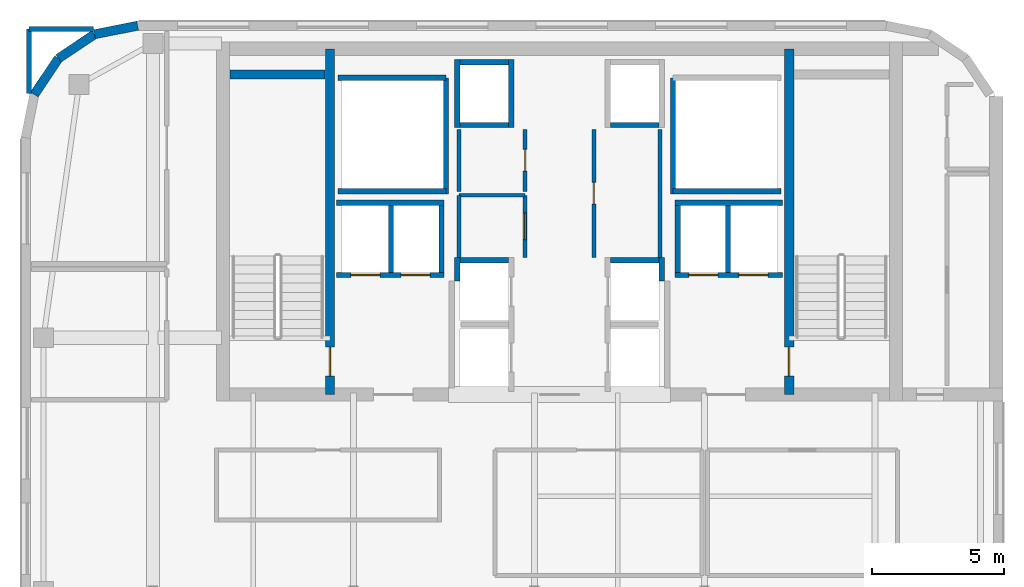
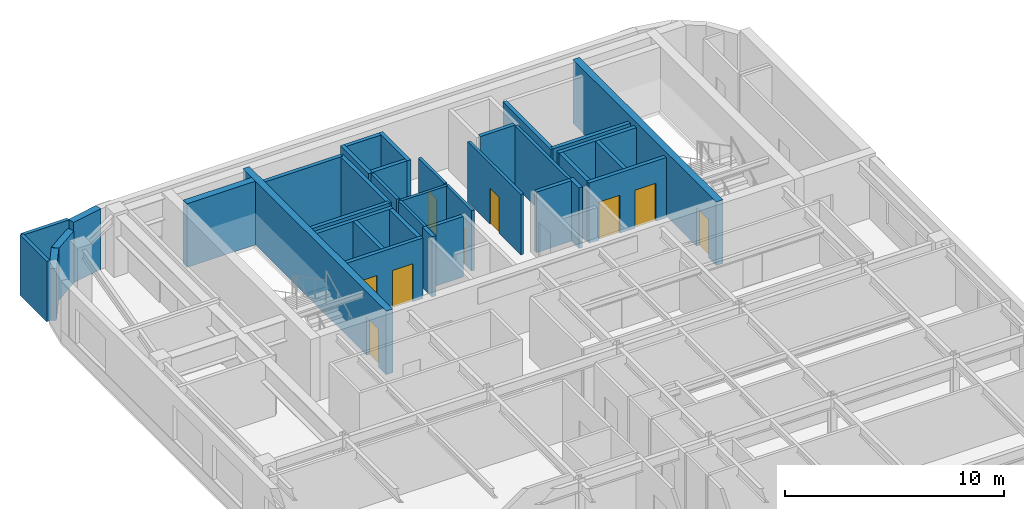
# One storey, part 6 of 11: 37 walls, 9 doors, 9 openings.
"""IFC4 building model written with IfcOpenShell, lengths in metres."""

from ifc_helpers import new_model, si_unit, direction, frame, frame_2d, origin, place, context, subcontext, project, spatial, rectangle, extrude, source, transform, mapped, material, layer, layer_set, type_object, type_shapes, element, fill, save


model = new_model("IFC4")

# Units and contexts
model_context = context("Model", 3, precision=1e-05, world=origin(), true_north=direction((0.0, 1.0)))
body_context = subcontext(model_context, "Body", "Model", "MODEL_VIEW")
ifc_project = project(units=[si_unit("LENGTHUNIT", "METRE"), si_unit("AREAUNIT", "SQUARE_METRE"), si_unit("VOLUMEUNIT", "CUBIC_METRE"), si_unit("PLANEANGLEUNIT", "RADIAN"), si_unit("MASSUNIT", "GRAM", prefix="KILO")], contexts=[model_context])

# Site, building, storey
site_placement = place(None, origin())
site = spatial("IfcSite", under=ifc_project, at=site_placement, CompositionType="ELEMENT")
building_placement = place(site_placement, origin())
building = spatial("IfcBuilding", under=site, at=building_placement, Name="Tolvann Quenvar Hotel", CompositionType="ELEMENT")
storey_placement = place(building_placement, frame((0.0, 0.0, 234.550048828125)))
storey = spatial("IfcBuildingStorey", under=building, at=storey_placement, Name="L62", CompositionType="ELEMENT", Elevation=234.550048828125)

# Wall, opening, door
ifc_material_1 = material(Name="Concrete S65 (65 MPa)", Category="concrete")
ifc_layer_1 = layer(ifc_material_1, 0.35009765625)
ifc_layer_set_1 = layer_set([ifc_layer_1], Name="Concrete S65 (65 MPa)")
wall_type_1 = type_object("IfcWallType", Name="WALL_CORE_INT_350", PredefinedType="SHEAR", material=ifc_layer_set_1)
wall_1_placement = place(storey_placement, frame((14.300048828125, 31.85009765625, 0.0), z_axis=(0.0, 0.0, 1.0), x_axis=(0.0, 1.0, 0.0)))
wall_1 = element("IfcWall", 1, at=wall_1_placement, inside=storey, type_object=wall_type_1, Name="Core Internal Web Shear Wall WEB-W (L62)", PredefinedType="SHEAR", context=body_context, shape_type="SweptSolid", body=[
    extrude(rectangle(XDim=13.099853515625, YDim=0.35009765625, at=frame_2d((6.5498046875, 0.0))), origin(), (0.0, 0.0, 1.0), 3.550048828125),
])
opening_1_placement = place(wall_1_placement, frame((0.699951171875, 0.0, 0.0)))
opening_1 = element("IfcOpeningElement", 2, at=opening_1_placement, cuts=wall_1, Name="Opening FD-120", PredefinedType="OPENING", context=body_context, shape_type="SweptSolid", body=[
    extrude(rectangle(XDim=1.10009765625, YDim=2.1201171875, at=frame_2d((0.550048828125, 1.06005859375))), frame((0.0, 0.18505859375, 0.0), z_axis=(0.0, -1.0, 0.0), x_axis=(1.0, 0.0, 0.0)), (0.0, 0.0, 1.0), 0.3701171875),
])
ifc_material_2 = material(Name="Pressed galvanised steel fire-rated door set", Category="steel")
door_type_1 = type_object("IfcDoorType", Name="DOOR_FIRE_STAIR_1100", OperationType="NOTDEFINED", PredefinedType="DOOR", material=ifc_material_2)
shared_shape_1 = source(origin(), body_context, "Body", "SweptSolid", [
    extrude(rectangle(XDim=1.10009765625, YDim=2.1201171875, at=frame_2d((0.550048828125, 1.06005859375))), frame((0.0, 0.02490234375, 0.0), z_axis=(0.0, -1.0, 0.0), x_axis=(1.0, 0.0, 0.0)), (0.0, 0.0, 1.0), 0.050048828125),
])
type_shapes(door_type_1, [shared_shape_1])
door_1_placement = place(opening_1_placement, origin())
door_1 = element("IfcDoor", 3, at=door_1_placement, inside=storey, type_object=door_type_1, Name="Exit Stair ST-C1 Fire Door (L62)", OperationType="SINGLE_SWING_LEFT", OverallHeight=2.1201171875, OverallWidth=1.10009765625, PredefinedType="DOOR", context=body_context, shape_type="MappedRepresentation", body=[
    mapped(shared_shape_1, transform((0.0, 0.0, 0.0), x_axis=(1.0, 0.0, 0.0), y_axis=(0.0, 1.0, 0.0), z_axis=(0.0, 0.0, 1.0), scale=1.0)),
])
fill(opening_1, door_1)

wall_2_placement = place(storey_placement, frame((31.699951171875, 31.85009765625, 0.0), z_axis=(0.0, 0.0, 1.0), x_axis=(0.0, 1.0, 0.0)))
wall_2 = element("IfcWall", 4, at=wall_2_placement, inside=storey, type_object=wall_type_1, Name="Core Internal Web Shear Wall WEB-E (L62)", PredefinedType="SHEAR", context=body_context, shape_type="SweptSolid", body=[
    extrude(rectangle(XDim=13.099853515625, YDim=0.35009765625, at=frame_2d((6.5498046875, 0.0))), origin(), (0.0, 0.0, 1.0), 3.550048828125),
])
opening_2_placement = place(wall_2_placement, frame((1.800048828125, 0.0, 0.0), z_axis=(0.0, 0.0, 1.0), x_axis=(-1.0, 0.0, 0.0)))
opening_2 = element("IfcOpeningElement", 5, at=opening_2_placement, cuts=wall_2, Name="Opening FD-120", PredefinedType="OPENING", context=body_context, shape_type="SweptSolid", body=[
    extrude(rectangle(XDim=1.10009765625, YDim=2.1201171875, at=frame_2d((0.550048828125, 1.06005859375))), frame((0.0, 0.18505859375, 0.0), z_axis=(0.0, -1.0, 0.0), x_axis=(1.0, 0.0, 0.0)), (0.0, 0.0, 1.0), 0.3701171875),
])
door_2_placement = place(opening_2_placement, origin())
door_2 = element("IfcDoor", 6, at=door_2_placement, inside=storey, type_object=door_type_1, Name="Exit Stair ST-C2 Fire Door (L62)", OperationType="SINGLE_SWING_RIGHT", OverallHeight=2.1201171875, OverallWidth=1.10009765625, PredefinedType="DOOR", context=body_context, shape_type="MappedRepresentation", body=[
    mapped(shared_shape_1, transform((0.0, 0.0, 0.0), x_axis=(1.0, 0.0, 0.0), y_axis=(0.0, 1.0, 0.0), z_axis=(0.0, 0.0, 1.0), scale=1.0)),
])
fill(opening_2, door_2)

# Walls
wall_3_placement = place(storey_placement, frame((10.52001953125, 43.97509765625, 0.0), z_axis=(0.0, 0.0, 1.0), x_axis=(1.0, 0.0, 0.0)))
element("IfcWall", 7, at=wall_3_placement, inside=storey, type_object=wall_type_1, Name="Core Stair North Closing Shear Wall STC1-N (L62)", PredefinedType="SHEAR", context=body_context, shape_type="SweptSolid", body=[
    extrude(rectangle(XDim=3.60009765625, YDim=0.35009765625, at=frame_2d((1.800048828125, 0.0))), origin(), (0.0, 0.0, 1.0), 3.550048828125),
])
ifc_material_3 = material(Name="Kiln-fired red and buff architectural clay brickwork and terracotta masonry", Category="masonry")
ifc_layer_2 = layer(ifc_material_3, 0.35009765625)
ifc_layer_set_2 = layer_set([ifc_layer_2], Name="Kiln-fired red and buff architectural clay brickwork and terracotta masonry")
wall_type_2 = type_object("IfcWallType", Name="WALL_EXT_BRICK_350", PredefinedType="SOLIDWALL", material=ifc_layer_set_2)
wall_4_placement = place(storey_placement, frame((7.01708984375, 45.824951171875, 0.0), z_axis=(0.0, 0.0, 1.0), x_axis=(-0.980788844421, -0.195072403631, 0.0)))
element("IfcWall", 8, at=wall_4_placement, inside=storey, type_object=wall_type_2, Name="Exterior Chicago Brick Wall L62-E15", PredefinedType="SOLIDWALL", context=body_context, shape_type="SweptSolid", body=[
    extrude(rectangle(XDim=1.66455078125, YDim=0.35009765625, at=frame_2d((0.832275390625, 0.0))), origin(), (0.0, 0.0, 1.0), 3.369873046875),
])
for number, where, z_axis, x_axis, name in (
    (9, (5.384521484375, 45.500244140625, 0.0), (0.0, 0.0, 1.0), (-0.831502623162, -0.555520825599, 0.0), "Exterior Chicago Brick Wall L62-E16"),
    (10, (4.014892578125, 44.585205078125, 0.0), (0.0, 0.0, 1.0), (-0.555623290322, -0.831434158098, 0.0), "Exterior Chicago Brick Wall L62-E17"),
):
    element("IfcWall", number, at=place(storey_placement, frame(where, z_axis=z_axis, x_axis=x_axis)), inside=storey, type_object=wall_type_2, Name=name, PredefinedType="SOLIDWALL", context=body_context, shape_type="SweptSolid", body=[
        extrude(rectangle(XDim=1.647216796875, YDim=0.35009765625, at=frame_2d((0.82373046875, 0.0))), origin(), (0.0, 0.0, 1.0), 2.89990234375),
    ])
ifc_material_4 = material(Name="Acoustic twin-stud fire-rated gypsum plasterboard partition")
ifc_layer_3 = layer(ifc_material_4, 0.179931640625)
ifc_layer_set_3 = layer_set([ifc_layer_3], Name="Acoustic twin-stud fire-rated gypsum plasterboard partition")
wall_type_3 = type_object("IfcWallType", Name="WALL_PART_ACOUSTIC_180", PredefinedType="PARTITIONING", material=ifc_layer_set_3)
for number, where, z_axis, x_axis, name in (
    (11, (2.89990234375, 45.699951171875, 0.0), (0.0, 0.0, 1.0), (1.0, 0.0, 0.0), "Interior Partition PT-SPC-L62-STD-N"),
    (12, (2.89990234375, 43.2548828125, 0.0), (0.0, 0.0, 1.0), (0.0, 1.0, 0.0), "Interior Partition PT-SPC-L62-STD-W"),
):
    element("IfcWall", number, at=place(storey_placement, frame(where, z_axis=z_axis, x_axis=x_axis)), inside=storey, type_object=wall_type_3, Name=name, PredefinedType="PARTITIONING", context=body_context, shape_type="SweptSolid", body=[
        extrude(rectangle(XDim=2.445068359375, YDim=0.179931640625, at=frame_2d((1.22265625, 0.0))), origin(), (0.0, 0.0, 1.0), 3.369873046875),
    ])

# Wall, opening, door
ifc_layer_4 = layer(ifc_material_4, 0.14990234375)
ifc_layer_set_4 = layer_set([ifc_layer_4], Name="Acoustic twin-stud fire-rated gypsum plasterboard partition")
wall_type_4 = type_object("IfcWallType", Name="WALL_PART_SUITE_150", PredefinedType="PARTITIONING", material=ifc_layer_set_4)
wall_5_placement = place(storey_placement, frame((21.699951171875, 37.050048828125, 0.0), z_axis=(0.0, 0.0, 1.0), x_axis=(0.0, 1.0, 0.0)))
wall_5 = element("IfcWall", 13, at=wall_5_placement, inside=storey, type_object=wall_type_4, Name="Interior Partition PT-SPC-L62-RECPM-1-ENT", PredefinedType="PARTITIONING", context=body_context, shape_type="SweptSolid", body=[
    extrude(rectangle(XDim=2.349853515625, YDim=0.14990234375, at=frame_2d((1.1748046875, 0.0))), origin(), (0.0, 0.0, 1.0), 3.369873046875),
])
opening_3_placement = place(wall_5_placement, frame((0.6650390625, 0.0, 0.0)))
opening_3 = element("IfcOpeningElement", 14, at=opening_3_placement, cuts=wall_5, Name="Opening HD-01", PredefinedType="OPENING", context=body_context, shape_type="SweptSolid", body=[
    extrude(rectangle(XDim=1.02001953125, YDim=2.030029296875, at=frame_2d((0.510009765625, 1.01513671875))), frame((0.0, 0.0849609375, 0.0), z_axis=(0.0, -1.0, 0.0), x_axis=(1.0, 0.0, 0.0)), (0.0, 0.0, 1.0), 0.169921875),
])
door_type_2 = type_object("IfcDoorType", Name="DOOR_BOH_1020", OperationType="NOTDEFINED", PredefinedType="DOOR", material=ifc_material_2)
shared_shape_2 = source(origin(), body_context, "Body", "SweptSolid", [
    extrude(rectangle(XDim=1.02001953125, YDim=2.030029296875, at=frame_2d((0.510009765625, 1.01513671875))), frame((0.0, 0.02490234375, 0.0), z_axis=(0.0, -1.0, 0.0), x_axis=(1.0, 0.0, 0.0)), (0.0, 0.0, 1.0), 0.050048828125),
])
type_shapes(door_type_2, [shared_shape_2])
door_3_placement = place(opening_3_placement, origin())
door_3 = element("IfcDoor", 15, at=door_3_placement, inside=storey, type_object=door_type_2, Name="Interior Door DOOR-SPC-L62-RECPM-1", OperationType="SINGLE_SWING_RIGHT", OverallHeight=2.030029296875, OverallWidth=1.02001953125, PredefinedType="DOOR", context=body_context, shape_type="MappedRepresentation", body=[
    mapped(shared_shape_2, transform((0.0, 0.0, 0.0), x_axis=(1.0, 0.0, 0.0), y_axis=(0.0, 1.0, 0.0), z_axis=(0.0, 0.0, 1.0), scale=1.0)),
])
fill(opening_3, door_3)

# Walls
wall_6_placement = place(storey_placement, frame((19.199951171875, 39.39990234375, 0.0), z_axis=(0.0, 0.0, 1.0), x_axis=(1.0, 0.0, 0.0)))
element("IfcWall", 16, at=wall_6_placement, inside=storey, type_object=wall_type_4, Name="Interior Partition PT-SPC-L62-RECPM-1-N", PredefinedType="PARTITIONING", context=body_context, shape_type="SweptSolid", body=[
    extrude(rectangle(XDim=2.5, YDim=0.14990234375, at=frame_2d((1.25, 0.0))), origin(), (0.0, 0.0, 1.0), 3.369873046875),
])
wall_7_placement = place(storey_placement, frame((19.199951171875, 37.0400390625, 0.0), z_axis=(0.0, 0.0, 1.0), x_axis=(0.0, 1.0, 0.0)))
element("IfcWall", 17, at=wall_7_placement, inside=storey, type_object=wall_type_4, Name="Interior Partition PT-SPC-L62-RECPM-1-W", PredefinedType="PARTITIONING", context=body_context, shape_type="SweptSolid", body=[
    extrude(rectangle(XDim=2.35986328125, YDim=0.14990234375, at=frame_2d((1.179931640625, 0.0))), origin(), (0.0, 0.0, 1.0), 3.369873046875),
])

# Wall, opening, door
wall_8_placement = place(storey_placement, frame((21.699951171875, 39.550048828125, 0.0), z_axis=(0.0, 0.0, 1.0), x_axis=(0.0, 1.0, 0.0)))
wall_8 = element("IfcWall", 18, at=wall_8_placement, inside=storey, type_object=wall_type_4, Name="Interior Partition PT-SPC-L62-RECPM-2-ENT", PredefinedType="PARTITIONING", context=body_context, shape_type="SweptSolid", body=[
    extrude(rectangle(XDim=2.349853515625, YDim=0.14990234375, at=frame_2d((1.1748046875, 0.0))), origin(), (0.0, 0.0, 1.0), 3.369873046875),
])
opening_4_placement = place(wall_8_placement, frame((0.764892578125, 0.0, 0.0)))
opening_4 = element("IfcOpeningElement", 19, at=opening_4_placement, cuts=wall_8, Name="Opening HD-02", PredefinedType="OPENING", context=body_context, shape_type="SweptSolid", body=[
    extrude(rectangle(XDim=0.820068359375, YDim=2.010009765625, at=frame_2d((0.41015625, 1.0048828125))), frame((0.0, 0.0849609375, 0.0), z_axis=(0.0, -1.0, 0.0), x_axis=(1.0, 0.0, 0.0)), (0.0, 0.0, 1.0), 0.169921875),
])
door_type_3 = type_object("IfcDoorType", Name="DOOR_STORE_820", OperationType="NOTDEFINED", PredefinedType="DOOR", material=ifc_material_2)
shared_shape_3 = source(origin(), body_context, "Body", "SweptSolid", [
    extrude(rectangle(XDim=0.820068359375, YDim=2.010009765625, at=frame_2d((0.41015625, 1.0048828125))), frame((0.0, 0.02490234375, 0.0), z_axis=(0.0, -1.0, 0.0), x_axis=(1.0, 0.0, 0.0)), (0.0, 0.0, 1.0), 0.050048828125),
])
type_shapes(door_type_3, [shared_shape_3])
door_4_placement = place(opening_4_placement, origin())
door_4 = element("IfcDoor", 20, at=door_4_placement, inside=storey, type_object=door_type_3, Name="Interior Door DOOR-SPC-L62-RECPM-2", OperationType="SINGLE_SWING_LEFT", OverallHeight=2.010009765625, OverallWidth=0.820068359375, PredefinedType="DOOR", context=body_context, shape_type="MappedRepresentation", body=[
    mapped(shared_shape_3, transform((0.0, 0.0, 0.0), x_axis=(1.0, 0.0, 0.0), y_axis=(0.0, 1.0, 0.0), z_axis=(0.0, 0.0, 1.0), scale=1.0)),
])
fill(opening_4, door_4)

# Wall
wall_9_placement = place(storey_placement, frame((19.199951171875, 39.550048828125, 0.0), z_axis=(0.0, 0.0, 1.0), x_axis=(0.0, 1.0, 0.0)))
element("IfcWall", 21, at=wall_9_placement, inside=storey, type_object=wall_type_4, Name="Interior Partition PT-SPC-L62-RECPM-2-W", PredefinedType="PARTITIONING", context=body_context, shape_type="SweptSolid", body=[
    extrude(rectangle(XDim=2.349853515625, YDim=0.14990234375, at=frame_2d((1.1748046875, 0.0))), origin(), (0.0, 0.0, 1.0), 3.369873046875),
])

# Wall, opening, door
wall_10_placement = place(storey_placement, frame((24.300048828125, 37.050048828125, 0.0), z_axis=(0.0, 0.0, 1.0), x_axis=(0.0, 1.0, 0.0)))
wall_10 = element("IfcWall", 22, at=wall_10_placement, inside=storey, type_object=wall_type_4, Name="Interior Partition PT-SPC-L62-RECPM-3-ENT", PredefinedType="PARTITIONING", context=body_context, shape_type="SweptSolid", body=[
    extrude(rectangle(XDim=4.849853515625, YDim=0.14990234375, at=frame_2d((2.4248046875, 0.0))), origin(), (0.0, 0.0, 1.0), 3.369873046875),
])
opening_5_placement = place(wall_10_placement, frame((2.014892578125, 0.0, 0.0)))
opening_5 = element("IfcOpeningElement", 23, at=opening_5_placement, cuts=wall_10, Name="Opening HD-02", PredefinedType="OPENING", context=body_context, shape_type="SweptSolid", body=[
    extrude(rectangle(XDim=0.820068359375, YDim=2.010009765625, at=frame_2d((0.41015625, 1.0048828125))), frame((0.0, 0.0849609375, 0.0), z_axis=(0.0, -1.0, 0.0), x_axis=(1.0, 0.0, 0.0)), (0.0, 0.0, 1.0), 0.169921875),
])
door_5_placement = place(opening_5_placement, origin())
door_5 = element("IfcDoor", 24, at=door_5_placement, inside=storey, type_object=door_type_3, Name="Interior Door DOOR-SPC-L62-RECPM-3", OperationType="SINGLE_SWING_RIGHT", OverallHeight=2.010009765625, OverallWidth=0.820068359375, PredefinedType="DOOR", context=body_context, shape_type="MappedRepresentation", body=[
    mapped(shared_shape_3, transform((0.0, 0.0, 0.0), x_axis=(1.0, 0.0, 0.0), y_axis=(0.0, 1.0, 0.0), z_axis=(0.0, 0.0, 1.0), scale=1.0)),
])
fill(opening_5, door_5)

# Walls
wall_11_placement = place(storey_placement, frame((26.800048828125, 37.0400390625, 0.0), z_axis=(0.0, 0.0, 1.0), x_axis=(0.0, 1.0, 0.0)))
element("IfcWall", 25, at=wall_11_placement, inside=storey, type_object=wall_type_4, Name="Interior Partition PT-SPC-L62-RECPM-3-E", PredefinedType="PARTITIONING", context=body_context, shape_type="SweptSolid", body=[
    extrude(rectangle(XDim=4.85986328125, YDim=0.14990234375, at=frame_2d((2.429931640625, 0.0))), origin(), (0.0, 0.0, 1.0), 3.369873046875),
])
ifc_material_5 = material(Name="Concrete N40 (40 MPa)", Category="concrete")
ifc_layer_5 = layer(ifc_material_5, 0.199951171875)
ifc_layer_set_5 = layer_set([ifc_layer_5], Name="Concrete N40 (40 MPa)")
wall_type_5 = type_object("IfcWallType", Name="WALL_SHAFT_200", PredefinedType="SOLIDWALL", material=ifc_layer_set_5)
wall_12_placement = place(storey_placement, frame((18.699951171875, 39.449951171875, 0.0), z_axis=(0.0, 0.0, 1.0), x_axis=(0.0, 1.0, 0.0)))
element("IfcWall", 26, at=wall_12_placement, inside=storey, type_object=wall_type_5, Name="Service Riser W Shaft Wall IN (L62)", PredefinedType="SOLIDWALL", context=body_context, shape_type="SweptSolid", body=[
    extrude(rectangle(XDim=4.400146484375, YDim=0.199951171875, at=frame_2d((2.2001953125, 0.0))), origin(), (0.0, 0.0, 1.0), 3.369873046875),
])
for number, where, z_axis, x_axis, name in (
    (27, (14.60009765625, 39.550048828125, 0.0), (0.0, 0.0, 1.0), (1.0, 0.0, 0.0), "Service Riser W Shaft Wall S (L62)"),
    (28, (14.60009765625, 43.85009765625, 0.0), (0.0, 0.0, 1.0), (1.0, 0.0, 0.0), "Service Riser W Shaft Wall N (L62)"),
):
    element("IfcWall", number, at=place(storey_placement, frame(where, z_axis=z_axis, x_axis=x_axis)), inside=storey, type_object=wall_type_5, Name=name, PredefinedType="SOLIDWALL", context=body_context, shape_type="SweptSolid", body=[
        extrude(rectangle(XDim=4.099853515625, YDim=0.199951171875, at=frame_2d((2.0498046875, 0.0))), origin(), (0.0, 0.0, 1.0), 3.369873046875),
    ])
wall_13_placement = place(storey_placement, frame((27.300048828125, 39.449951171875, 0.0), z_axis=(0.0, 0.0, 1.0), x_axis=(0.0, 1.0, 0.0)))
element("IfcWall", 29, at=wall_13_placement, inside=storey, type_object=wall_type_5, Name="Service Riser E Shaft Wall IN (L62)", PredefinedType="SOLIDWALL", context=body_context, shape_type="SweptSolid", body=[
    extrude(rectangle(XDim=4.400146484375, YDim=0.199951171875, at=frame_2d((2.2001953125, 0.0))), origin(), (0.0, 0.0, 1.0), 3.369873046875),
])
wall_14_placement = place(storey_placement, frame((27.300048828125, 39.550048828125, 0.0), z_axis=(0.0, 0.0, 1.0), x_axis=(1.0, 0.0, 0.0)))
element("IfcWall", 30, at=wall_14_placement, inside=storey, type_object=wall_type_5, Name="Service Riser E Shaft Wall S (L62)", PredefinedType="SOLIDWALL", context=body_context, shape_type="SweptSolid", body=[
    extrude(rectangle(XDim=4.099853515625, YDim=0.199951171875, at=frame_2d((2.0498046875, 0.0))), origin(), (0.0, 0.0, 1.0), 3.369873046875),
])
wall_15_placement = place(storey_placement, frame((19.1298828125, 36.159912109375, 0.0), z_axis=(0.0, 0.0, 1.0), x_axis=(0.0, 1.0, 0.0)))
element("IfcWall", 31, at=wall_15_placement, inside=storey, type_object=wall_type_5, Name="Lift Bank E21.1C1 Hoistway Rear Wall (L62)", PredefinedType="SOLIDWALL", context=body_context, shape_type="SweptSolid", body=[
    extrude(rectangle(XDim=0.880126953125, YDim=0.199951171875, at=frame_2d((0.43994140625, 0.0))), origin(), (0.0, 0.0, 1.0), 3.369873046875),
])
wall_16_placement = place(storey_placement, frame((19.22998046875, 36.93994140625, 0.0), z_axis=(0.0, 0.0, 1.0), x_axis=(1.0, 0.0, 0.0)))
element("IfcWall", 32, at=wall_16_placement, inside=storey, type_object=wall_type_5, Name="Lift Bank E21.1C1 Hoistway Cheek Wall 2 (L62)", PredefinedType="SOLIDWALL", context=body_context, shape_type="SweptSolid", body=[
    extrude(rectangle(XDim=1.840087890625, YDim=0.199951171875, at=frame_2d((0.919921875, 0.0))), origin(), (0.0, 0.0, 1.0), 3.369873046875),
])
for number, where, z_axis, x_axis, name in (
    (33, (21.169921875, 41.9599609375, 0.0), (0.0, 0.0, 1.0), (0.0, 1.0, 0.0), "Lift Bank E21.1C2 Hoistway Front Wall (L62)"),
    (34, (19.1298828125, 41.9599609375, 0.0), (0.0, 0.0, 1.0), (0.0, 1.0, 0.0), "Lift Bank E21.1C2 Hoistway Rear Wall (L62)"),
):
    element("IfcWall", number, at=place(storey_placement, frame(where, z_axis=z_axis, x_axis=x_axis)), inside=storey, type_object=wall_type_5, Name=name, PredefinedType="SOLIDWALL", context=body_context, shape_type="SweptSolid", body=[
        extrude(rectangle(XDim=2.580078125, YDim=0.199951171875, at=frame_2d((1.2900390625, 0.0))), origin(), (0.0, 0.0, 1.0), 3.369873046875),
    ])
for number, where, z_axis, x_axis, name in (
    (35, (19.22998046875, 42.06005859375, 0.0), (0.0, 0.0, 1.0), (1.0, 0.0, 0.0), "Lift Bank E21.1C2 Hoistway Cheek Wall 1 (L62)"),
    (36, (19.22998046875, 44.43994140625, 0.0), (0.0, 0.0, 1.0), (1.0, 0.0, 0.0), "Lift Bank E21.1C2 Hoistway Cheek Wall 2 (L62)"),
):
    element("IfcWall", number, at=place(storey_placement, frame(where, z_axis=z_axis, x_axis=x_axis)), inside=storey, type_object=wall_type_5, Name=name, PredefinedType="SOLIDWALL", context=body_context, shape_type="SweptSolid", body=[
        extrude(rectangle(XDim=1.840087890625, YDim=0.199951171875, at=frame_2d((0.919921875, 0.0))), origin(), (0.0, 0.0, 1.0), 3.369873046875),
    ])

# Wall, openings, doors
wall_17_placement = place(storey_placement, frame((27.375, 36.3798828125, 0.0), z_axis=(0.0, 0.0, 1.0), x_axis=(1.0, 0.0, 0.0)))
wall_17 = element("IfcWall", 37, at=wall_17_placement, inside=storey, type_object=wall_type_5, Name="Lift Bank SEC1 Hoistway Front Wall (L62)", PredefinedType="SOLIDWALL", context=body_context, shape_type="SweptSolid", body=[
    extrude(rectangle(XDim=4.074951171875, YDim=0.199951171875, at=frame_2d((2.03759765625, 0.0))), origin(), (0.0, 0.0, 1.0), 3.369873046875),
])
opening_6_placement = place(wall_17_placement, frame((0.52490234375, 0.0, 0.0)))
opening_6 = element("IfcOpeningElement", 38, at=opening_6_placement, cuts=wall_17, Name="Opening LD-01", PredefinedType="OPENING", context=body_context, shape_type="SweptSolid", body=[
    extrude(rectangle(XDim=1.10009765625, YDim=2.1201171875, at=frame_2d((0.550048828125, 1.06005859375))), frame((0.0, 0.10986328125, 0.0), z_axis=(0.0, -1.0, 0.0), x_axis=(1.0, 0.0, 0.0)), (0.0, 0.0, 1.0), 0.219970703125),
])
opening_7_placement = place(wall_17_placement, frame((2.425048828125, 0.0, 0.0)))
opening_7 = element("IfcOpeningElement", 39, at=opening_7_placement, cuts=wall_17, Name="Opening LD-01", PredefinedType="OPENING", context=body_context, shape_type="SweptSolid", body=[
    extrude(rectangle(XDim=1.10009765625, YDim=2.1201171875, at=frame_2d((0.550048828125, 1.06005859375))), frame((0.0, 0.10986328125, 0.0), z_axis=(0.0, -1.0, 0.0), x_axis=(1.0, 0.0, 0.0)), (0.0, 0.0, 1.0), 0.219970703125),
])
ifc_material_6 = material(Name="Brushed 316 stainless steel automatic sliding lift landing door", Category="steel")
door_type_4 = type_object("IfcDoorType", Name="DOOR_LIFT_SLIDE_1100", OperationType="NOTDEFINED", PredefinedType="DOOR", material=ifc_material_6)
shared_shape_4 = source(origin(), body_context, "Body", "SweptSolid", [
    extrude(rectangle(XDim=1.10009765625, YDim=2.1201171875, at=frame_2d((0.550048828125, 1.06005859375))), frame((0.0, 0.02490234375, 0.0), z_axis=(0.0, -1.0, 0.0), x_axis=(1.0, 0.0, 0.0)), (0.0, 0.0, 1.0), 0.050048828125),
])
type_shapes(door_type_4, [shared_shape_4])
door_6_placement = place(opening_6_placement, origin())
door_6 = element("IfcDoor", 40, at=door_6_placement, inside=storey, type_object=door_type_4, Name="Lift SV-2 Sliding Landing Door (L62)", OperationType="SLIDING_TO_LEFT", OverallHeight=2.1201171875, OverallWidth=1.10009765625, PredefinedType="DOOR", context=body_context, shape_type="MappedRepresentation", body=[
    mapped(shared_shape_4, transform((0.0, 0.0, 0.0), x_axis=(1.0, 0.0, 0.0), y_axis=(0.0, 1.0, 0.0), z_axis=(0.0, 0.0, 1.0), scale=1.0)),
])
fill(opening_6, door_6)
door_7_placement = place(opening_7_placement, origin())
door_7 = element("IfcDoor", 41, at=door_7_placement, inside=storey, type_object=door_type_4, Name="Lift FF-2 Sliding Landing Door (L62)", OperationType="SLIDING_TO_RIGHT", OverallHeight=2.1201171875, OverallWidth=1.10009765625, PredefinedType="DOOR", context=body_context, shape_type="MappedRepresentation", body=[
    mapped(shared_shape_4, transform((0.0, 0.0, 0.0), x_axis=(1.0, 0.0, 0.0), y_axis=(0.0, 1.0, 0.0), z_axis=(0.0, 0.0, 1.0), scale=1.0)),
])
fill(opening_7, door_7)

# Walls
wall_18_placement = place(storey_placement, frame((27.375, 39.1201171875, 0.0), z_axis=(0.0, 0.0, 1.0), x_axis=(1.0, 0.0, 0.0)))
element("IfcWall", 42, at=wall_18_placement, inside=storey, type_object=wall_type_5, Name="Lift Bank SEC1 Hoistway Rear Wall (L62)", PredefinedType="SOLIDWALL", context=body_context, shape_type="SweptSolid", body=[
    extrude(rectangle(XDim=4.074951171875, YDim=0.199951171875, at=frame_2d((2.03759765625, 0.0))), origin(), (0.0, 0.0, 1.0), 3.369873046875),
])
for number, where, z_axis, x_axis, name in (
    (43, (27.47509765625, 36.47998046875, 0.0), (0.0, 0.0, 1.0), (0.0, 1.0, 0.0), "Lift Bank SEC1 Hoistway Cheek Wall 1 (L62)"),
    (44, (29.387451171875, 36.47998046875, 0.0), (0.0, 0.0, 1.0), (0.0, 1.0, 0.0), "Lift Bank SEC1 Divider Wall 1 (L62)"),
):
    element("IfcWall", number, at=place(storey_placement, frame(where, z_axis=z_axis, x_axis=x_axis)), inside=storey, type_object=wall_type_5, Name=name, PredefinedType="SOLIDWALL", context=body_context, shape_type="SweptSolid", body=[
        extrude(rectangle(XDim=2.5400390625, YDim=0.199951171875, at=frame_2d((1.27001953125, 0.0))), origin(), (0.0, 0.0, 1.0), 3.369873046875),
    ])

# Wall, openings, doors
wall_19_placement = place(storey_placement, frame((14.550048828125, 36.3798828125, 0.0), z_axis=(0.0, 0.0, 1.0), x_axis=(1.0, 0.0, 0.0)))
wall_19 = element("IfcWall", 45, at=wall_19_placement, inside=storey, type_object=wall_type_5, Name="Lift Bank SWC1 Hoistway Front Wall (L62)", PredefinedType="SOLIDWALL", context=body_context, shape_type="SweptSolid", body=[
    extrude(rectangle(XDim=4.074951171875, YDim=0.199951171875, at=frame_2d((2.03759765625, 0.0))), origin(), (0.0, 0.0, 1.0), 3.369873046875),
])
opening_8_placement = place(wall_19_placement, frame((0.550048828125, 0.0, 0.0)))
opening_8 = element("IfcOpeningElement", 46, at=opening_8_placement, cuts=wall_19, Name="Opening LD-01", PredefinedType="OPENING", context=body_context, shape_type="SweptSolid", body=[
    extrude(rectangle(XDim=1.10009765625, YDim=2.1201171875, at=frame_2d((0.550048828125, 1.06005859375))), frame((0.0, 0.10986328125, 0.0), z_axis=(0.0, -1.0, 0.0), x_axis=(1.0, 0.0, 0.0)), (0.0, 0.0, 1.0), 0.219970703125),
])
opening_9_placement = place(wall_19_placement, frame((2.449951171875, 0.0, 0.0)))
opening_9 = element("IfcOpeningElement", 47, at=opening_9_placement, cuts=wall_19, Name="Opening LD-01", PredefinedType="OPENING", context=body_context, shape_type="SweptSolid", body=[
    extrude(rectangle(XDim=1.10009765625, YDim=2.1201171875, at=frame_2d((0.550048828125, 1.06005859375))), frame((0.0, 0.10986328125, 0.0), z_axis=(0.0, -1.0, 0.0), x_axis=(1.0, 0.0, 0.0)), (0.0, 0.0, 1.0), 0.219970703125),
])
door_8_placement = place(opening_8_placement, origin())
door_8 = element("IfcDoor", 48, at=door_8_placement, inside=storey, type_object=door_type_4, Name="Lift FF-1 Sliding Landing Door (L62)", OperationType="SLIDING_TO_LEFT", OverallHeight=2.1201171875, OverallWidth=1.10009765625, PredefinedType="DOOR", context=body_context, shape_type="MappedRepresentation", body=[
    mapped(shared_shape_4, transform((0.0, 0.0, 0.0), x_axis=(1.0, 0.0, 0.0), y_axis=(0.0, 1.0, 0.0), z_axis=(0.0, 0.0, 1.0), scale=1.0)),
])
fill(opening_8, door_8)
door_9_placement = place(opening_9_placement, origin())
door_9 = element("IfcDoor", 49, at=door_9_placement, inside=storey, type_object=door_type_4, Name="Lift SV-1 Sliding Landing Door (L62)", OperationType="SLIDING_TO_RIGHT", OverallHeight=2.1201171875, OverallWidth=1.10009765625, PredefinedType="DOOR", context=body_context, shape_type="MappedRepresentation", body=[
    mapped(shared_shape_4, transform((0.0, 0.0, 0.0), x_axis=(1.0, 0.0, 0.0), y_axis=(0.0, 1.0, 0.0), z_axis=(0.0, 0.0, 1.0), scale=1.0)),
])
fill(opening_9, door_9)

# Walls
wall_20_placement = place(storey_placement, frame((14.550048828125, 39.1201171875, 0.0), z_axis=(0.0, 0.0, 1.0), x_axis=(1.0, 0.0, 0.0)))
element("IfcWall", 50, at=wall_20_placement, inside=storey, type_object=wall_type_5, Name="Lift Bank SWC1 Hoistway Rear Wall (L62)", PredefinedType="SOLIDWALL", context=body_context, shape_type="SweptSolid", body=[
    extrude(rectangle(XDim=4.074951171875, YDim=0.199951171875, at=frame_2d((2.03759765625, 0.0))), origin(), (0.0, 0.0, 1.0), 3.369873046875),
])
for number, where, z_axis, x_axis, name in (
    (51, (18.52490234375, 36.47998046875, 0.0), (0.0, 0.0, 1.0), (0.0, 1.0, 0.0), "Lift Bank SWC1 Hoistway Cheek Wall 2 (L62)"),
    (52, (16.612548828125, 36.47998046875, 0.0), (0.0, 0.0, 1.0), (0.0, 1.0, 0.0), "Lift Bank SWC1 Divider Wall 1 (L62)"),
):
    element("IfcWall", number, at=place(storey_placement, frame(where, z_axis=z_axis, x_axis=x_axis)), inside=storey, type_object=wall_type_5, Name=name, PredefinedType="SOLIDWALL", context=body_context, shape_type="SweptSolid", body=[
        extrude(rectangle(XDim=2.5400390625, YDim=0.199951171875, at=frame_2d((1.27001953125, 0.0))), origin(), (0.0, 0.0, 1.0), 3.369873046875),
    ])
wall_21_placement = place(storey_placement, frame((26.8701171875, 36.159912109375, 0.0), z_axis=(0.0, 0.0, 1.0), x_axis=(0.0, 1.0, 0.0)))
element("IfcWall", 53, at=wall_21_placement, inside=storey, type_object=wall_type_5, Name="Lift Bank W24.9C1 Hoistway Rear Wall (L62)", PredefinedType="SOLIDWALL", context=body_context, shape_type="SweptSolid", body=[
    extrude(rectangle(XDim=0.880126953125, YDim=0.199951171875, at=frame_2d((0.43994140625, 0.0))), origin(), (0.0, 0.0, 1.0), 3.369873046875),
])
for number, where, z_axis, x_axis, name in (
    (54, (24.929931640625, 36.93994140625, 0.0), (0.0, 0.0, 1.0), (1.0, 0.0, 0.0), "Lift Bank W24.9C1 Hoistway Cheek Wall 2 (L62)"),
    (55, (24.929931640625, 42.06005859375, 0.0), (0.0, 0.0, 1.0), (1.0, 0.0, 0.0), "Lift Bank W24.9C2 Hoistway Cheek Wall 1 (L62)"),
):
    element("IfcWall", number, at=place(storey_placement, frame(where, z_axis=z_axis, x_axis=x_axis)), inside=storey, type_object=wall_type_5, Name=name, PredefinedType="SOLIDWALL", context=body_context, shape_type="SweptSolid", body=[
        extrude(rectangle(XDim=1.840087890625, YDim=0.199951171875, at=frame_2d((0.919921875, 0.0))), origin(), (0.0, 0.0, 1.0), 3.369873046875),
    ])

save(model, "model.ifc")
